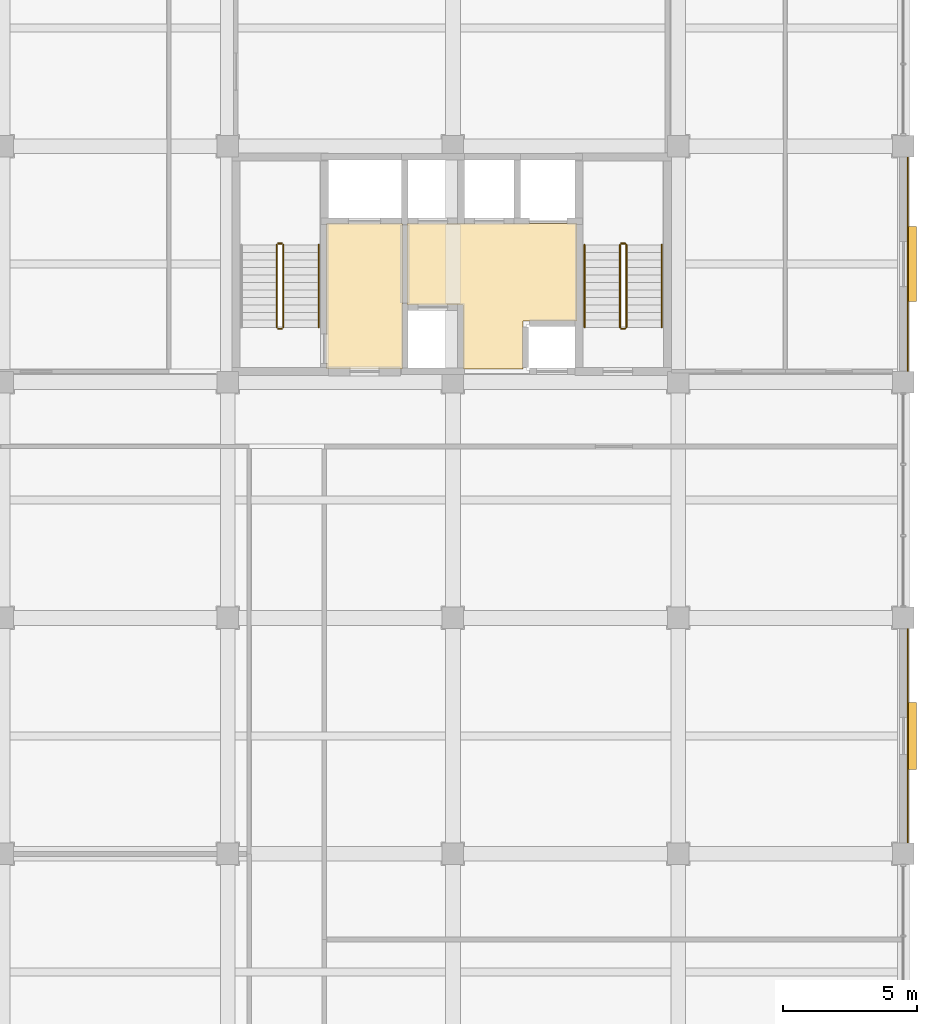
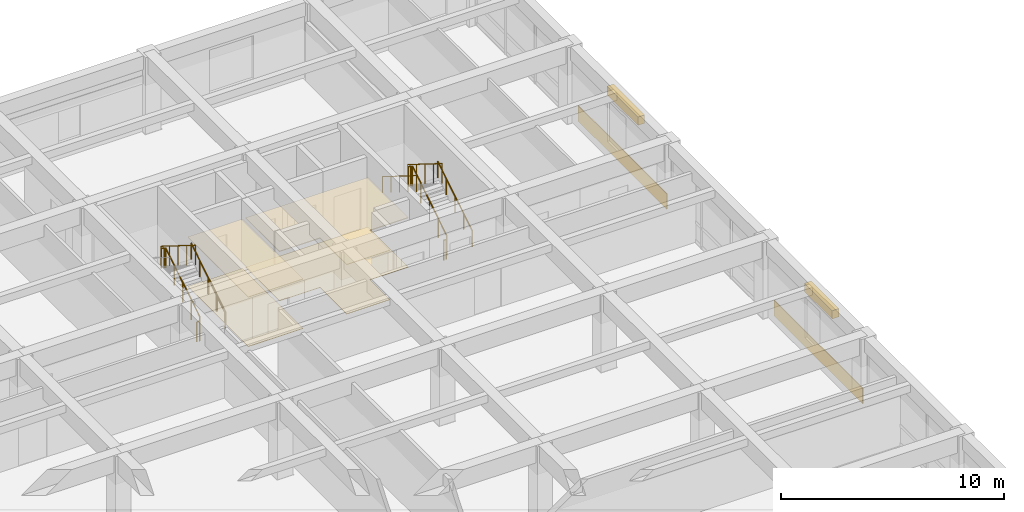
# One storey, part 45 of 46: 11 railings, 6 coverings, 2 shading devices.
"""IFC4 building model written with IfcOpenShell, lengths in metres."""

import ifcopenshell
import ifcopenshell.guid

model = None  # the IFC model being written
_history = None  # IfcOwnerHistory: only IFC2X3 demands one
_inside = {}  # id of a spatial element -> (the spatial element, [elements in it])
_under = {}  # id of a project, library or spatial element -> (it, [spatial elements below it])
_declared = {}  # id of a project -> (the project, [libraries it declares])
_typed = {}  # id of a type object -> (the type object, [elements of that type])
_made_of = {}  # id of a material, layer set ... -> (it, [elements and type objects made of it])


def new_model(schema):
    """Start an empty IFC model of exactly this schema.

    Asked for "IFC4X3", IfcOpenShell would pick the latest addendum, in which some entities
    have other attributes; the version numbers below select the first issue.
    IFC2X3 requires an IfcOwnerHistory on every rooted entity: one is made here for all.
    """
    global model, _history
    if schema == "IFC4X3":
        model = ifcopenshell.file(schema_version=(4, 3, 0, 0))
    else:
        model = ifcopenshell.file(schema=schema)
    _inside.clear()
    _under.clear()
    _declared.clear()
    _typed.clear()
    _made_of.clear()
    _history = None
    if model.schema == "IFC2X3":
        org = make("IfcOrganization", Name="unknown")
        user = make(
            "IfcPersonAndOrganization",
            ThePerson=make("IfcPerson", FamilyName="unknown"),
            TheOrganization=org,
        )
        app = make(
            "IfcApplication",
            ApplicationDeveloper=org,
            Version="unknown",
            ApplicationFullName="unknown",
            ApplicationIdentifier="unknown",
        )
        _history = make(
            "IfcOwnerHistory",
            OwningUser=user,
            OwningApplication=app,
            ChangeAction="ADDED",
            CreationDate=0,
        )
    return model


def make(cls, **values):
    """One entity of the class cls with the attributes given. An attribute that is None is left unset."""
    return model.create_entity(
        cls, **{name: value for name, value in values.items() if value is not None}
    )


def rooted(cls, **values):
    """An entity with a GlobalId (a new one), such as an element, a storey or a relation."""
    return make(cls, GlobalId=ifcopenshell.guid.new(), OwnerHistory=_history, **values)


def si_unit(unit_type, name, prefix=None):
    """IfcSIUnit, for example si_unit("LENGTHUNIT", "METRE", prefix="MILLI")."""
    return make("IfcSIUnit", UnitType=unit_type, Prefix=prefix, Name=name)


def assignment(units):
    """IfcUnitAssignment: the units of a project."""
    return None if units is None else make("IfcUnitAssignment", Units=units)


def point(xyz):
    """IfcCartesianPoint."""
    return None if xyz is None else make("IfcCartesianPoint", Coordinates=xyz)


def direction(xyz):
    """IfcDirection."""
    return None if xyz is None else make("IfcDirection", DirectionRatios=xyz)


def frame(location, z_axis=None, x_axis=None):
    """IfcAxis2Placement3D, a coordinate frame: its origin and axes. An axis left out is left unset."""
    return make(
        "IfcAxis2Placement3D",
        Location=point(location),
        Axis=direction(z_axis),
        RefDirection=direction(x_axis),
    )


def frame_2d(location, x_axis=None):
    """IfcAxis2Placement2D, a coordinate frame in the plane: its origin and x axis."""
    return make(
        "IfcAxis2Placement2D", Location=point(location), RefDirection=direction(x_axis)
    )


def origin():
    """The frame at (0, 0, 0) with its axes left unset."""
    return frame((0.0, 0.0, 0.0))


def origin_2d():
    """The frame at (0, 0) in the plane with its x axis left unset."""
    return frame_2d((0.0, 0.0))


def place(relative_to, where):
    """IfcLocalPlacement: puts the frame where relative to a parent placement (None: the world)."""
    return make(
        "IfcLocalPlacement", PlacementRelTo=relative_to, RelativePlacement=where
    )


def context(
    kind, dimensions, precision=None, world=None, true_north=None, identifier=None
):
    """IfcGeometricRepresentationContext, for example the 3D "Model" context."""
    return make(
        "IfcGeometricRepresentationContext",
        ContextIdentifier=identifier,
        ContextType=kind,
        CoordinateSpaceDimension=dimensions,
        Precision=precision,
        WorldCoordinateSystem=world,
        TrueNorth=true_north,
    )


def subcontext(parent, identifier, kind, view, scale=None):
    """IfcGeometricRepresentationSubContext, for example "Body" below "Model"."""
    return make(
        "IfcGeometricRepresentationSubContext",
        ContextIdentifier=identifier,
        ContextType=kind,
        ParentContext=parent,
        TargetScale=scale,
        TargetView=view,
    )


def project(units=None, contexts=None):
    """IfcProject with its units and contexts."""
    return rooted(
        "IfcProject",
        Name="project",
        RepresentationContexts=contexts,
        UnitsInContext=assignment(units),
    )


def spatial(cls, under=None, at=None, **own):
    """A site, building, storey or space (cls), placed at a placement, below another one or the project."""
    s = rooted(cls, ObjectPlacement=at, **own)
    if under is not None:
        _under.setdefault(under.id(), (under, []))[1].append(s)
    return s


def polyline(points):
    """IfcPolyline through the points."""
    return make("IfcPolyline", Points=[point(p) for p in points])


def profile(cls, at=None, kind="AREA", **sizes):
    """A parametric profile (cls). Its sizes go by their IFC names, for example OverallWidth=200.0."""
    return make(cls, ProfileType=kind, Position=at, **sizes)


def rectangle(**sizes):
    """IfcRectangleProfileDef."""
    return profile("IfcRectangleProfileDef", **sizes)


def circle(**sizes):
    """IfcCircleProfileDef."""
    return profile("IfcCircleProfileDef", **sizes)


def outline(outer, holes=None, kind="AREA"):
    """IfcArbitraryClosedProfileDef: a profile drawn as a closed curve; with holes, ...WithVoids."""
    if holes is None:
        return make("IfcArbitraryClosedProfileDef", ProfileType=kind, OuterCurve=outer)
    return make(
        "IfcArbitraryProfileDefWithVoids",
        ProfileType=kind,
        OuterCurve=outer,
        InnerCurves=holes,
    )


def extrude(swept, where, along, depth):
    """IfcExtrudedAreaSolid: the profile swept, set in the frame where, extruded along a direction by depth."""
    return make(
        "IfcExtrudedAreaSolid",
        SweptArea=swept,
        Position=where,
        ExtrudedDirection=direction(along),
        Depth=depth,
    )


def shape(context_of_items, identifier, shape_type, items):
    """IfcShapeRepresentation: the items that make up one representation, for example the "Body"."""
    return make(
        "IfcShapeRepresentation",
        ContextOfItems=context_of_items,
        RepresentationIdentifier=identifier,
        RepresentationType=shape_type,
        Items=items,
    )


def material(Name=None, Category=None):
    """IfcMaterial."""
    return make("IfcMaterial", Name=Name, Category=Category)


def layer(
    of_material, thickness, ventilated=None, Name=None, Category=None, Priority=None
):
    """IfcMaterialLayer: one layer of a wall or slab, of a material (None: an air gap)."""
    return make(
        "IfcMaterialLayer",
        Material=of_material,
        LayerThickness=thickness,
        IsVentilated=ventilated,
        Name=Name,
        Category=Category,
        Priority=Priority,
    )


def layer_set(layers, Name=None):
    """IfcMaterialLayerSet."""
    return make("IfcMaterialLayerSet", MaterialLayers=layers, LayerSetName=Name)


def made_of(thing, what):
    """Note that an element or type object is made of a material, layer set ...; save() writes the relation."""
    if what is not None:
        _made_of.setdefault(what.id(), (what, []))[1].append(thing)
    return thing


def type_object(cls, material=None, **own):
    """A type object (cls), such as IfcWallType, which elements share."""
    return made_of(rooted(cls, **own), material)


def element(
    cls,
    number,
    at=None,
    inside=None,
    cuts=None,
    type_object=None,
    material=None,
    context=None,
    identifier="Body",
    shape_type=None,
    held_by="IfcProductDefinitionShape",
    body=None,
    shapes=None,
    **own,
):
    """One element of the class cls, such as IfcWall. Its Tag is "e" and its number.

    at: its placement. inside: the storey or other place that contains it. cuts: it is an
    opening in that element (IfcRelVoidsElement). A single representation is given by context,
    identifier, shape_type and body (its items); several are given by shapes. held_by: the class
    of the entity that holds the representations. save() writes the other relations.
    """
    e = rooted(cls, Tag="e%d" % number, ObjectPlacement=at, **own)
    if body is not None:
        shapes = [shape(context, identifier, shape_type, body)]
    if shapes is not None:
        e.Representation = make(held_by, Representations=shapes)
    if inside is not None:
        _inside.setdefault(inside.id(), (inside, []))[1].append(e)
    if cuts is not None:
        rooted(
            "IfcRelVoidsElement", RelatingBuildingElement=cuts, RelatedOpeningElement=e
        )
    if type_object is not None:
        _typed.setdefault(type_object.id(), (type_object, []))[1].append(e)
    return made_of(e, material)


def aggregate(whole, parts):
    """IfcRelAggregates: a whole, such as a stair, and the parts it consists of."""
    return rooted("IfcRelAggregates", RelatingObject=whole, RelatedObjects=parts)


def save(model, path):
    """Write the relations noted so far, then the file.

    IfcRelAggregates (storeys below a building ...), IfcRelContainedInSpatialStructure (elements
    in a storey), IfcRelDefinesByType, IfcRelAssociatesMaterial and IfcRelDeclares: one each for
    every whole, place, type object, material and project.
    """
    for whole, parts in _under.values():
        aggregate(whole, parts)
    for where, things in _inside.values():
        rooted(
            "IfcRelContainedInSpatialStructure",
            RelatedElements=things,
            RelatingStructure=where,
        )
    for kind, things in _typed.values():
        rooted("IfcRelDefinesByType", RelatedObjects=things, RelatingType=kind)
    for what, things in _made_of.values():
        rooted("IfcRelAssociatesMaterial", RelatedObjects=things, RelatingMaterial=what)
    for by, libraries in _declared.values():
        rooted("IfcRelDeclares", RelatingContext=by, RelatedDefinitions=libraries)
    model.write(path)


model = new_model("IFC4")

# Units and contexts
model_context = context("Model", 3, precision=1e-05, world=origin(), true_north=direction((0.0, 1.0)))
body_context = subcontext(model_context, "Body", "Model", "MODEL_VIEW")
ifc_project = project(units=[si_unit("LENGTHUNIT", "METRE"), si_unit("AREAUNIT", "SQUARE_METRE"), si_unit("VOLUMEUNIT", "CUBIC_METRE"), si_unit("PLANEANGLEUNIT", "RADIAN"), si_unit("MASSUNIT", "GRAM", prefix="KILO")], contexts=[model_context])

# Site, building, storey
site_placement = place(None, origin())
site = spatial("IfcSite", under=ifc_project, at=site_placement, CompositionType="ELEMENT")
building_placement = place(site_placement, origin())
building = spatial("IfcBuilding", under=site, at=building_placement, Name="Kemercrest Conservatory and Botanical Centre", CompositionType="ELEMENT")
storey_placement = place(building_placement, frame((0.0, 0.0, 9.0)))
storey = spatial("IfcBuildingStorey", under=building, at=storey_placement, Name="L02", CompositionType="ELEMENT", Elevation=9.0)

# Coverings
ifc_material_1 = material(Name="Honed limestone almasik ashlar rainscreen", Category="masonry")
ifc_layer_1 = layer(ifc_material_1, 0.0400390625)
ifc_layer_set_1 = layer_set([ifc_layer_1], Name="Honed limestone almasik ashlar rainscreen")
covering_type_1 = type_object("IfcCoveringType", Name="CV-CLD040", PredefinedType="CLADDING", material=ifc_layer_set_1)
covering_1_placement = place(storey_placement, origin())
element("IfcCovering", 1, at=covering_1_placement, inside=storey, type_object=covering_type_1, Name="Exterior stone spandrel cladding (WAL:L02:EXT-196)", PredefinedType="CLADDING", context=body_context, shape_type="SweptSolid", body=[
    extrude(outline(polyline([(176.14990234375, 87.610107421875), (176.18994140625, 87.610107421875), (176.18994140625, 95.590087890625), (176.14990234375, 95.590087890625), (176.14990234375, 87.610107421875)])), origin(), (0.0, 0.0, 1.0), 0.85009765625),
])
covering_2_placement = place(storey_placement, origin())
element("IfcCovering", 2, at=covering_2_placement, inside=storey, type_object=covering_type_1, Name="Exterior stone spandrel cladding (WAL:L02:EXT-197)", PredefinedType="CLADDING", context=body_context, shape_type="SweptSolid", body=[
    extrude(outline(polyline([(176.14990234375, 105.2099609375), (176.18994140625, 105.2099609375), (176.18994140625, 113.18994140625), (176.14990234375, 113.18994140625), (176.14990234375, 105.2099609375)])), origin(), (0.0, 0.0, 1.0), 0.85009765625),
])
ifc_material_2 = material(Name="Perforated acoustic gypsum and mineral-fibre suspended ceiling", Category="gypsum")
ifc_layer_2 = layer(ifc_material_2, 0.034912109375)
ifc_layer_set_2 = layer_set([ifc_layer_2], Name="Perforated acoustic gypsum and mineral-fibre suspended ceiling")
covering_type_2 = type_object("IfcCoveringType", Name="CV-CLG035", PredefinedType="CEILING", material=ifc_layer_set_2)
covering_3_placement = place(storey_placement, frame((0.0, 0.0, 2.699951171875)))
element("IfcCovering", 3, at=covering_3_placement, inside=storey, type_object=covering_type_2, Name="Firefighting Lobby suspended acoustic ceiling", PredefinedType="CEILING", context=body_context, shape_type="SweptSolid", body=[
    extrude(outline(polyline([(154.47998046875, 105.280029296875), (157.320068359375, 105.280029296875), (157.320068359375, 110.719970703125), (154.47998046875, 110.719970703125), (154.47998046875, 105.280029296875)])), origin(), (0.0, 0.0, 1.0), 0.03515625),
])
covering_4_placement = place(storey_placement, frame((0.0, 0.0, 2.699951171875)))
element("IfcCovering", 4, at=covering_4_placement, inside=storey, type_object=covering_type_2, Name="Tower Lift Lobby suspended acoustic ceiling", PredefinedType="CEILING", context=body_context, shape_type="SweptSolid", body=[
    extrude(outline(polyline([(159.580078125, 107.679931640625), (159.580078125, 105.280029296875), (161.820068359375, 105.280029296875), (161.820068359375, 107.080078125), (163.820068359375, 107.080078125), (163.820068359375, 110.719970703125), (157.47998046875, 110.719970703125), (157.47998046875, 107.679931640625), (159.580078125, 107.679931640625)])), origin(), (0.0, 0.0, 1.0), 0.03515625),
])
ifc_material_3 = material(Name="Polished limestone terrazzo and seamless laboratory epoxy flooring", Category="masonry")
ifc_layer_3 = layer(ifc_material_3, 0.02001953125)
ifc_layer_set_3 = layer_set([ifc_layer_3], Name="Polished limestone terrazzo and seamless laboratory epoxy flooring")
covering_type_3 = type_object("IfcCoveringType", Name="CV-FLR020", PredefinedType="FLOORING", material=ifc_layer_set_3)
covering_5_placement = place(storey_placement, origin())
element("IfcCovering", 5, at=covering_5_placement, inside=storey, type_object=covering_type_3, Name="Firefighting Lobby floor finish", PredefinedType="FLOORING", context=body_context, shape_type="SweptSolid", body=[
    extrude(outline(polyline([(154.47998046875, 105.280029296875), (157.320068359375, 105.280029296875), (157.320068359375, 110.719970703125), (154.47998046875, 110.719970703125), (154.47998046875, 105.280029296875)])), origin(), (0.0, 0.0, 1.0), 0.02001953125),
])
covering_6_placement = place(storey_placement, origin())
element("IfcCovering", 6, at=covering_6_placement, inside=storey, type_object=covering_type_3, Name="Tower Lift Lobby floor finish", PredefinedType="FLOORING", context=body_context, shape_type="SweptSolid", body=[
    extrude(outline(polyline([(159.580078125, 107.679931640625), (159.580078125, 105.280029296875), (161.820068359375, 105.280029296875), (161.820068359375, 107.080078125), (163.820068359375, 107.080078125), (163.820068359375, 110.719970703125), (157.47998046875, 110.719970703125), (157.47998046875, 107.679931640625), (159.580078125, 107.679931640625)])), origin(), (0.0, 0.0, 1.0), 0.02001953125),
])

# Railings
ifc_material_4 = material(Name="Painted galvanized steel tubular stair guardrail", Category="steel")
railing_type_1 = type_object("IfcRailingType", Name="GR-STR110", PredefinedType="GUARDRAIL", material=ifc_material_4)
railing_1_placement = place(storey_placement, frame((152.8701171875, 106.840087890625, 0.175048828125)))
element("IfcRailing", 7, at=railing_1_placement, inside=storey, type_object=railing_type_1, Name="L02 ST-V4A stair guard 1", PredefinedType="GUARDRAIL", context=body_context, shape_type="SweptSolid", body=[
    extrude(circle(Radius=0.02392578125, at=origin_2d()), frame((0.0, 0.0, 1.076171875), z_axis=(0.0, 0.847979421464, 0.530029150871), x_axis=(-1.0, 0.0, 0.0)), (0.0, 0.0, 1.0), 3.632080078125),
    extrude(circle(Radius=0.02099609375, at=origin_2d()), origin(), (0.0, 0.0, 1.0), 1.052001953125),
    extrude(circle(Radius=0.02099609375, at=origin_2d()), frame((0.0, 0.77001953125, 0.481201171875)), (0.0, 0.0, 1.0), 1.052001953125),
    extrude(circle(Radius=0.02099609375, at=origin_2d()), frame((0.0, 1.5400390625, 0.96240234375)), (0.0, 0.0, 1.0), 1.052001953125),
    extrude(circle(Radius=0.02099609375, at=origin_2d()), frame((0.0, 2.309814453125, 1.44384765625)), (0.0, 0.0, 1.0), 1.052001953125),
    extrude(circle(Radius=0.02099609375, at=origin_2d()), frame((0.0, 3.079833984375, 1.925048828125)), (0.0, 0.0, 1.0), 1.052001953125),
])
railing_2_placement = place(storey_placement, frame((152.820068359375, 109.969970703125, 2.10009765625)))
element("IfcRailing", 8, at=railing_2_placement, inside=storey, type_object=railing_type_1, Name="L02 ST-V4A stair guard 2", PredefinedType="GUARDRAIL", context=body_context, shape_type="SweptSolid", body=[
    extrude(circle(Radius=0.02392578125, at=origin_2d()), frame((0.0, 0.0, 1.076171875), z_axis=(-1.0, 0.0, 0.0), x_axis=(0.0, -1.0, 0.0)), (0.0, 0.0, 1.0), 0.14013671875),
    extrude(circle(Radius=0.02099609375, at=origin_2d()), origin(), (0.0, 0.0, 1.0), 1.052001953125),
    extrude(circle(Radius=0.02099609375, at=origin_2d()), frame((-0.14013671875, 0.0, 0.0)), (0.0, 0.0, 1.0), 1.052001953125),
])
railing_3_placement = place(storey_placement, frame((152.6298828125, 109.919921875, 2.27490234375)))
element("IfcRailing", 9, at=railing_3_placement, inside=storey, type_object=railing_type_1, Name="L02 ST-V4A stair guard 3", PredefinedType="GUARDRAIL", context=body_context, shape_type="SweptSolid", body=[
    extrude(circle(Radius=0.02392578125, at=origin_2d()), frame((0.0, 0.0, 1.076171875), z_axis=(0.0, -0.847979421464, 0.530029150871), x_axis=(1.0, 0.0, 0.0)), (0.0, 0.0, 1.0), 3.632080078125),
    extrude(circle(Radius=0.02099609375, at=origin_2d()), origin(), (0.0, 0.0, 1.0), 1.052001953125),
    extrude(circle(Radius=0.02099609375, at=origin_2d()), frame((0.0, -0.77001953125, 0.481201171875)), (0.0, 0.0, 1.0), 1.052001953125),
    extrude(circle(Radius=0.02099609375, at=origin_2d()), frame((0.0, -1.5400390625, 0.96240234375)), (0.0, 0.0, 1.0), 1.052001953125),
    extrude(circle(Radius=0.02099609375, at=origin_2d()), frame((0.0, -2.309814453125, 1.44384765625)), (0.0, 0.0, 1.0), 1.052001953125),
    extrude(circle(Radius=0.02099609375, at=origin_2d()), frame((0.0, -3.079833984375, 1.925048828125)), (0.0, 0.0, 1.0), 1.052001953125),
])
railing_4_placement = place(storey_placement, frame((152.820068359375, 106.7900390625, 0.0)))
element("IfcRailing", 10, at=railing_4_placement, inside=storey, type_object=railing_type_1, Name="L02 ST-V4A stair guard 4", PredefinedType="GUARDRAIL", context=body_context, shape_type="SweptSolid", body=[
    extrude(circle(Radius=0.02392578125, at=origin_2d()), frame((0.0, 0.0, 1.076171875), z_axis=(-1.0, 0.0, 0.0), x_axis=(0.0, -1.0, 0.0)), (0.0, 0.0, 1.0), 0.14013671875),
    extrude(circle(Radius=0.02099609375, at=origin_2d()), origin(), (0.0, 0.0, 1.0), 1.052001953125),
    extrude(circle(Radius=0.02099609375, at=origin_2d()), frame((-0.14013671875, 0.0, 0.0)), (0.0, 0.0, 1.0), 1.052001953125),
])
railing_5_placement = place(storey_placement, frame((165.669921875, 106.840087890625, 0.175048828125)))
element("IfcRailing", 11, at=railing_5_placement, inside=storey, type_object=railing_type_1, Name="L02 ST-V4B stair guard 1", PredefinedType="GUARDRAIL", context=body_context, shape_type="SweptSolid", body=[
    extrude(circle(Radius=0.02392578125, at=origin_2d()), frame((0.0, 0.0, 1.076171875), z_axis=(0.0, 0.847979421464, 0.530029150871), x_axis=(-1.0, 0.0, 0.0)), (0.0, 0.0, 1.0), 3.632080078125),
    extrude(circle(Radius=0.02099609375, at=origin_2d()), origin(), (0.0, 0.0, 1.0), 1.052001953125),
    extrude(circle(Radius=0.02099609375, at=origin_2d()), frame((0.0, 0.77001953125, 0.481201171875)), (0.0, 0.0, 1.0), 1.052001953125),
    extrude(circle(Radius=0.02099609375, at=origin_2d()), frame((0.0, 1.5400390625, 0.96240234375)), (0.0, 0.0, 1.0), 1.052001953125),
    extrude(circle(Radius=0.02099609375, at=origin_2d()), frame((0.0, 2.309814453125, 1.44384765625)), (0.0, 0.0, 1.0), 1.052001953125),
    extrude(circle(Radius=0.02099609375, at=origin_2d()), frame((0.0, 3.079833984375, 1.925048828125)), (0.0, 0.0, 1.0), 1.052001953125),
])
railing_6_placement = place(storey_placement, frame((165.6201171875, 109.969970703125, 2.10009765625)))
element("IfcRailing", 12, at=railing_6_placement, inside=storey, type_object=railing_type_1, Name="L02 ST-V4B stair guard 2", PredefinedType="GUARDRAIL", context=body_context, shape_type="SweptSolid", body=[
    extrude(circle(Radius=0.02392578125, at=origin_2d()), frame((0.0, 0.0, 1.076171875), z_axis=(-1.0, 0.0, 0.0), x_axis=(0.0, -1.0, 0.0)), (0.0, 0.0, 1.0), 0.14013671875),
    extrude(circle(Radius=0.02099609375, at=origin_2d()), origin(), (0.0, 0.0, 1.0), 1.052001953125),
    extrude(circle(Radius=0.02099609375, at=origin_2d()), frame((-0.14013671875, 0.0, 0.0)), (0.0, 0.0, 1.0), 1.052001953125),
])
railing_7_placement = place(storey_placement, frame((165.429931640625, 109.919921875, 2.27490234375)))
element("IfcRailing", 13, at=railing_7_placement, inside=storey, type_object=railing_type_1, Name="L02 ST-V4B stair guard 3", PredefinedType="GUARDRAIL", context=body_context, shape_type="SweptSolid", body=[
    extrude(circle(Radius=0.02392578125, at=origin_2d()), frame((0.0, 0.0, 1.076171875), z_axis=(0.0, -0.847979421464, 0.530029150871), x_axis=(1.0, 0.0, 0.0)), (0.0, 0.0, 1.0), 3.632080078125),
    extrude(circle(Radius=0.02099609375, at=origin_2d()), origin(), (0.0, 0.0, 1.0), 1.052001953125),
    extrude(circle(Radius=0.02099609375, at=origin_2d()), frame((0.0, -0.77001953125, 0.481201171875)), (0.0, 0.0, 1.0), 1.052001953125),
    extrude(circle(Radius=0.02099609375, at=origin_2d()), frame((0.0, -1.5400390625, 0.96240234375)), (0.0, 0.0, 1.0), 1.052001953125),
    extrude(circle(Radius=0.02099609375, at=origin_2d()), frame((0.0, -2.309814453125, 1.44384765625)), (0.0, 0.0, 1.0), 1.052001953125),
    extrude(circle(Radius=0.02099609375, at=origin_2d()), frame((0.0, -3.079833984375, 1.925048828125)), (0.0, 0.0, 1.0), 1.052001953125),
])
railing_8_placement = place(storey_placement, frame((165.6201171875, 106.7900390625, 0.0)))
element("IfcRailing", 14, at=railing_8_placement, inside=storey, type_object=railing_type_1, Name="L02 ST-V4B stair guard 4", PredefinedType="GUARDRAIL", context=body_context, shape_type="SweptSolid", body=[
    extrude(circle(Radius=0.02392578125, at=origin_2d()), frame((0.0, 0.0, 1.076171875), z_axis=(-1.0, 0.0, 0.0), x_axis=(0.0, -1.0, 0.0)), (0.0, 0.0, 1.0), 0.14013671875),
    extrude(circle(Radius=0.02099609375, at=origin_2d()), origin(), (0.0, 0.0, 1.0), 1.052001953125),
    extrude(circle(Radius=0.02099609375, at=origin_2d()), frame((-0.14013671875, 0.0, 0.0)), (0.0, 0.0, 1.0), 1.052001953125),
])
ifc_material_5 = material(Name="Brushed stainless steel wall-mounted handrail", Category="steel")
railing_type_2 = type_object("IfcRailingType", Name="HR-STR090", PredefinedType="HANDRAIL", material=ifc_material_5)
for number, where, name in (
    (15, (154.18994140625, 106.840087890625, 0.175048828125), "L02 ST-V4A stair handrail 1"),
    (16, (166.989990234375, 106.840087890625, 0.175048828125), "L02 ST-V4B stair handrail 1"),
):
    element("IfcRailing", number, at=place(storey_placement, frame(where)), inside=storey, type_object=railing_type_2, Name=name, PredefinedType="HANDRAIL", context=body_context, shape_type="SweptSolid", body=[
        extrude(circle(Radius=0.02392578125, at=origin_2d()), frame((0.0, 0.0, 0.8759765625), z_axis=(0.0, 0.847979421464, 0.530029150871), x_axis=(-1.0, 0.0, 0.0)), (0.0, 0.0, 1.0), 3.632080078125),
        extrude(circle(Radius=0.02099609375, at=origin_2d()), origin(), (0.0, 0.0, 1.0), 0.851806640625),
        extrude(circle(Radius=0.02099609375, at=origin_2d()), frame((0.0, 0.77001953125, 0.481201171875)), (0.0, 0.0, 1.0), 0.851806640625),
        extrude(circle(Radius=0.02099609375, at=origin_2d()), frame((0.0, 1.5400390625, 0.96240234375)), (0.0, 0.0, 1.0), 0.851806640625),
        extrude(circle(Radius=0.02099609375, at=origin_2d()), frame((0.0, 2.309814453125, 1.44384765625)), (0.0, 0.0, 1.0), 0.851806640625),
        extrude(circle(Radius=0.02099609375, at=origin_2d()), frame((0.0, 3.079833984375, 1.925048828125)), (0.0, 0.0, 1.0), 0.851806640625),
    ])
railing_9_placement = place(storey_placement, frame((164.110107421875, 109.919921875, 2.27490234375)))
element("IfcRailing", 17, at=railing_9_placement, inside=storey, type_object=railing_type_2, Name="L02 ST-V4B stair handrail 2", PredefinedType="HANDRAIL", context=body_context, shape_type="SweptSolid", body=[
    extrude(circle(Radius=0.02392578125, at=origin_2d()), frame((0.0, 0.0, 0.8759765625), z_axis=(0.0, -0.847979421464, 0.530029150871), x_axis=(1.0, 0.0, 0.0)), (0.0, 0.0, 1.0), 3.632080078125),
    extrude(circle(Radius=0.02099609375, at=origin_2d()), origin(), (0.0, 0.0, 1.0), 0.851806640625),
    extrude(circle(Radius=0.02099609375, at=origin_2d()), frame((0.0, -0.77001953125, 0.481201171875)), (0.0, 0.0, 1.0), 0.851806640625),
    extrude(circle(Radius=0.02099609375, at=origin_2d()), frame((0.0, -1.5400390625, 0.96240234375)), (0.0, 0.0, 1.0), 0.851806640625),
    extrude(circle(Radius=0.02099609375, at=origin_2d()), frame((0.0, -2.309814453125, 1.44384765625)), (0.0, 0.0, 1.0), 0.851806640625),
    extrude(circle(Radius=0.02099609375, at=origin_2d()), frame((0.0, -3.079833984375, 1.925048828125)), (0.0, 0.0, 1.0), 0.851806640625),
])

# Shading devices
ifc_material_6 = material(Name="Architectural bronze-anodized extruded aluminium", Category="aluminium")
shading_device_type_1 = type_object("IfcShadingDeviceType", Name="SH-JL02", PredefinedType="JALOUSIE", material=ifc_material_6)
shading_device_1_placement = place(storey_placement, frame((176.322998046875, 91.60009765625, 2.9951171875), z_axis=(0.0, 0.0, 1.0), x_axis=(0.0, 1.0, 0.0)))
element("IfcShadingDevice", 18, at=shading_device_1_placement, inside=storey, type_object=shading_device_type_1, Name="Solar control louvre visor SH-JL02 (WIN:L02:EXT-196)", PredefinedType="JALOUSIE", context=body_context, shape_type="SweptSolid", body=[
    extrude(rectangle(XDim=2.5, YDim=0.35009765625, at=origin_2d()), origin(), (0.0, 0.0, 1.0), 0.449951171875),
])
shading_device_type_2 = type_object("IfcShadingDeviceType", Name="SH-JL03", PredefinedType="JALOUSIE", material=ifc_material_6)
shading_device_2_placement = place(storey_placement, frame((176.322998046875, 109.199951171875, 3.03515625), z_axis=(0.0, 0.0, 1.0), x_axis=(0.0, 1.0, 0.0)))
element("IfcShadingDevice", 19, at=shading_device_2_placement, inside=storey, type_object=shading_device_type_2, Name="Solar control louvre visor SH-JL03 (WIN:L02:EXT-197)", PredefinedType="JALOUSIE", context=body_context, shape_type="SweptSolid", body=[
    extrude(rectangle(XDim=2.800048828125, YDim=0.35009765625, at=origin_2d()), origin(), (0.0, 0.0, 1.0), 0.449951171875),
])

save(model, "model.ifc")
